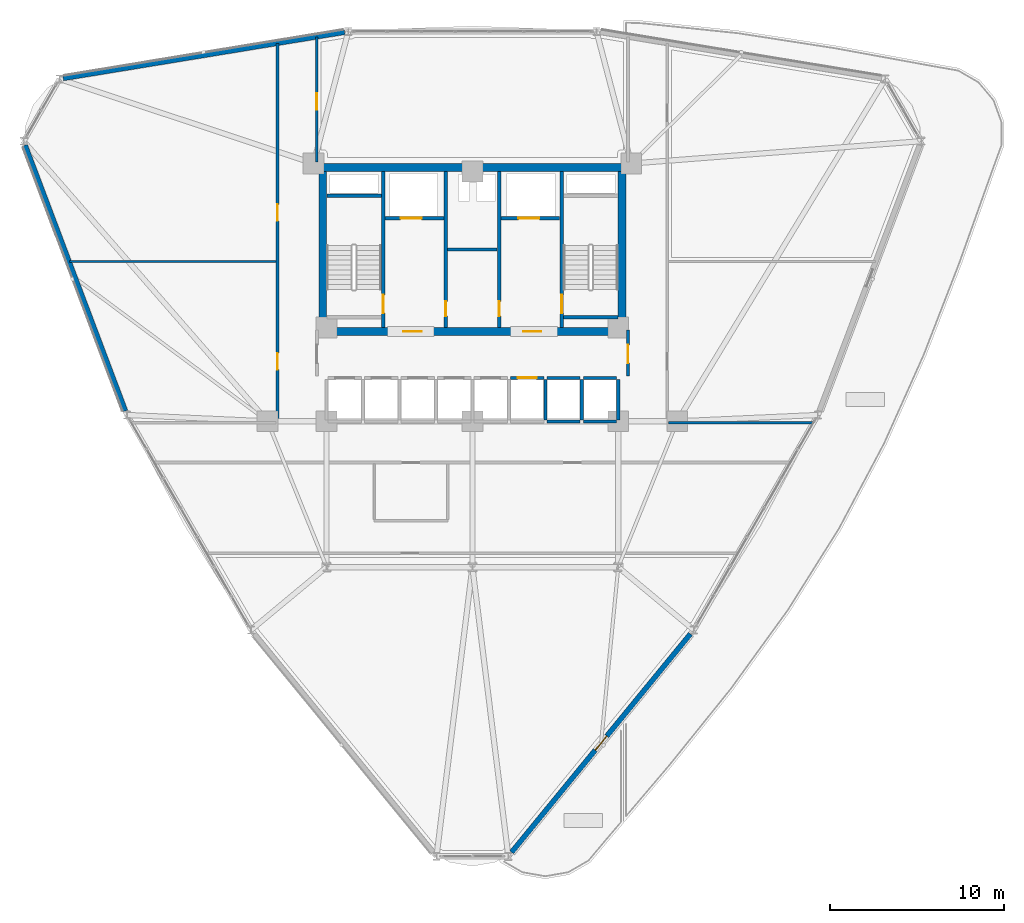
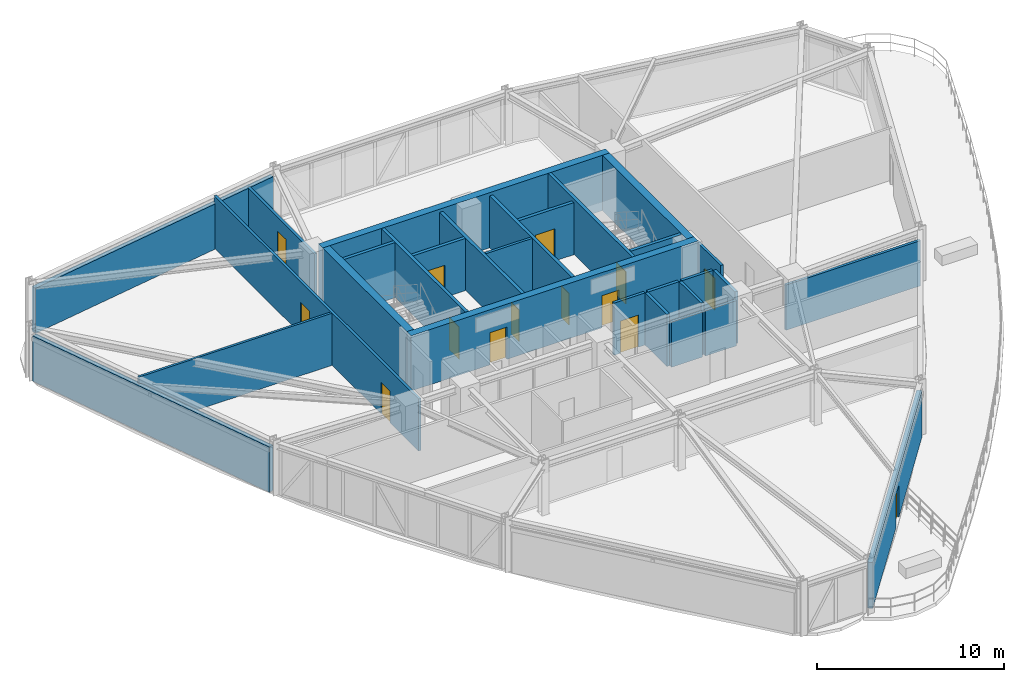
# One storey, part 18 of 23: 29 walls, 14 doors, 14 openings.
"""IFC4 building model written with IfcOpenShell, lengths in metres."""

from ifc_helpers import new_model, si_unit, derived_unit, direction, frame, frame_2d, origin, place, context, subcontext, project, spatial, rectangle, extrude, material, layer, layer_set, type_object, element, fill, save


model = new_model("IFC4")

# Units and contexts
model_context = context("Model", 3, precision=1e-05, world=origin(), true_north=direction((0.0, 1.0)))
body_context = subcontext(model_context, "Body", "Model", "MODEL_VIEW")
ifc_project = project(units=[si_unit("LENGTHUNIT", "METRE"), si_unit("AREAUNIT", "SQUARE_METRE"), si_unit("VOLUMEUNIT", "CUBIC_METRE"), si_unit("PLANEANGLEUNIT", "RADIAN"), si_unit("MASSUNIT", "GRAM", prefix="KILO"), derived_unit("THERMALTRANSMITTANCEUNIT", [(si_unit("POWERUNIT", "WATT"), 1), (si_unit("LENGTHUNIT", "METRE"), -2), (si_unit("THERMODYNAMICTEMPERATUREUNIT", "KELVIN"), -1)])], contexts=[model_context])

# Site, building, storey
site_placement = place(None, origin())
site = spatial("IfcSite", under=ifc_project, at=site_placement, CompositionType="ELEMENT")
building_placement = place(site_placement, origin())
building = spatial("IfcBuilding", under=site, at=building_placement, Name="Korsvarv Bourse and Concert Hall", CompositionType="ELEMENT")
storey_placement = place(building_placement, frame((0.0, 0.0, 99.0)))
storey = spatial("IfcBuildingStorey", under=building, at=storey_placement, Name="L24", CompositionType="ELEMENT", Elevation=99.0)

# Wall, opening, door
ifc_material_1 = material(Name="Concrete C50/60", Category="concrete")
ifc_layer_1 = layer(ifc_material_1, 0.3798828125)
ifc_layer_set_1 = layer_set([ifc_layer_1], Name="Concrete C50/60")
wall_type_1 = type_object("IfcWallType", Name="WL-CORE-380", PredefinedType="SHEAR", material=ifc_layer_set_1)
wall_1_placement = place(storey_placement, frame((30.860107421875, 37.81005859375, 0.0), z_axis=(0.0, 0.0, 1.0), x_axis=(0.0, 1.0, 0.0)))
wall_1 = element("IfcWall", 1, at=wall_1_placement, inside=storey, type_object=wall_type_1, Name="L24 stair shaft structural wall W-L24-ST1-E", PredefinedType="SHEAR", context=body_context, shape_type="SweptSolid", body=[
    extrude(rectangle(XDim=8.97998046875, YDim=0.199951171875, at=frame_2d((4.489990234375, 0.0))), origin(), (0.0, 0.0, 1.0), 3.60009765625),
])
opening_1_placement = place(wall_1_placement, frame((0.820068359375, 0.0, 0.0)))
opening_1 = element("IfcOpeningElement", 2, at=opening_1_placement, cuts=wall_1, Name="Opening D-01", PredefinedType="OPENING", context=body_context, shape_type="SweptSolid", body=[
    extrude(rectangle(XDim=1.050048828125, YDim=2.10009765625, at=frame_2d((0.52490234375, 1.050048828125))), frame((0.0, 0.10986328125, 0.0), z_axis=(0.0, -1.0, 0.0), x_axis=(1.0, 0.0, 0.0)), (0.0, 0.0, 1.0), 0.219970703125),
])
ifc_material_2 = material(Name="Steel S355 fire door", Category="steel")
door_type_1 = type_object("IfcDoorType", Name="DR-FD60", OperationType="NOTDEFINED", PredefinedType="DOOR", material=ifc_material_2)
door_1_placement = place(opening_1_placement, origin())
door_1 = element("IfcDoor", 3, at=door_1_placement, inside=storey, type_object=door_type_1, Name="L24 interior door DR-L24-ST1", OperationType="SINGLE_SWING_RIGHT", OverallHeight=2.10009765625, OverallWidth=1.050048828125, PredefinedType="DOOR", context=body_context, shape_type="SweptSolid", body=[
    extrude(rectangle(XDim=1.050048828125, YDim=2.10009765625, at=frame_2d((0.52490234375, 1.050048828125))), frame((0.0, 0.02490234375, 0.0), z_axis=(0.0, -1.0, 0.0), x_axis=(1.0, 0.0, 0.0)), (0.0, 0.0, 1.0), 0.050048828125),
])
fill(opening_1, door_1)

# Wall
wall_2_placement = place(storey_placement, frame((27.610107421875, 45.39990234375, 0.0), z_axis=(0.0, 0.0, 1.0), x_axis=(1.0, 0.0, 0.0)))
element("IfcWall", 4, at=wall_2_placement, inside=storey, type_object=wall_type_1, Name="L24 stair shaft structural wall W-L24-ST1-N", PredefinedType="SHEAR", context=body_context, shape_type="SweptSolid", body=[
    extrude(rectangle(XDim=3.139892578125, YDim=0.199951171875, at=frame_2d((1.56982421875, 0.0))), origin(), (0.0, 0.0, 1.0), 3.60009765625),
])

# Wall, opening, door
wall_3_placement = place(storey_placement, frame((41.139892578125, 37.81005859375, 0.0), z_axis=(0.0, 0.0, 1.0), x_axis=(0.0, 1.0, 0.0)))
wall_3 = element("IfcWall", 5, at=wall_3_placement, inside=storey, type_object=wall_type_1, Name="L24 stair shaft structural wall W-L24-ST2-W", PredefinedType="SHEAR", context=body_context, shape_type="SweptSolid", body=[
    extrude(rectangle(XDim=8.97998046875, YDim=0.199951171875, at=frame_2d((4.489990234375, 0.0))), origin(), (0.0, 0.0, 1.0), 3.60009765625),
])
opening_2_placement = place(wall_3_placement, frame((0.820068359375, 0.0, 0.0)))
opening_2 = element("IfcOpeningElement", 6, at=opening_2_placement, cuts=wall_3, Name="Opening D-01", PredefinedType="OPENING", context=body_context, shape_type="SweptSolid", body=[
    extrude(rectangle(XDim=1.050048828125, YDim=2.10009765625, at=frame_2d((0.52490234375, 1.050048828125))), frame((0.0, 0.10986328125, 0.0), z_axis=(0.0, -1.0, 0.0), x_axis=(1.0, 0.0, 0.0)), (0.0, 0.0, 1.0), 0.219970703125),
])
door_2_placement = place(opening_2_placement, frame((1.050048828125, 0.0, 0.0), z_axis=(0.0, 0.0, 1.0), x_axis=(-1.0, 0.0, 0.0)))
door_2 = element("IfcDoor", 7, at=door_2_placement, inside=storey, type_object=door_type_1, Name="L24 interior door DR-L24-ST2", OperationType="SINGLE_SWING_LEFT", OverallHeight=2.10009765625, OverallWidth=1.050048828125, PredefinedType="DOOR", context=body_context, shape_type="SweptSolid", body=[
    extrude(rectangle(XDim=1.050048828125, YDim=2.10009765625, at=frame_2d((0.52490234375, 1.050048828125))), frame((0.0, 0.02490234375, 0.0), z_axis=(0.0, -1.0, 0.0), x_axis=(1.0, 0.0, 0.0)), (0.0, 0.0, 1.0), 0.050048828125),
])
fill(opening_2, door_2)

# Walls
wall_4_placement = place(storey_placement, frame((41.25, 38.39990234375, 0.0), z_axis=(0.0, 0.0, 1.0), x_axis=(1.0, 0.0, 0.0)))
element("IfcWall", 8, at=wall_4_placement, inside=storey, type_object=wall_type_1, Name="L24 stair shaft structural wall W-L24-ST2-S", PredefinedType="SHEAR", context=body_context, shape_type="SweptSolid", body=[
    extrude(rectangle(XDim=3.139892578125, YDim=0.199951171875, at=frame_2d((1.56982421875, 0.0))), origin(), (0.0, 0.0, 1.0), 3.60009765625),
])
ifc_material_3 = material(Name="Concrete C55/67", Category="concrete")
ifc_layer_2 = layer(ifc_material_3, 0.449951171875)
ifc_layer_set_2 = layer_set([ifc_layer_2], Name="Concrete C55/67")
wall_type_2 = type_object("IfcWallType", Name="WL-CORE-450", PredefinedType="SHEAR", material=ifc_layer_set_2)
wall_5_placement = place(storey_placement, frame((27.14990234375, 47.02490234375, 0.0), z_axis=(0.0, 0.0, 1.0), x_axis=(1.0, 0.0, 0.0)))
element("IfcWall", 9, at=wall_5_placement, inside=storey, type_object=wall_type_2, Name="L24 North Core Shear Wall", PredefinedType="SHEAR", context=body_context, shape_type="SweptSolid", body=[
    extrude(rectangle(XDim=17.7001953125, YDim=0.449951171875, at=frame_2d((8.85009765625, 0.0))), origin(), (0.0, 0.0, 1.0), 3.60009765625),
])

# Wall, openings, doors
wall_6_placement = place(storey_placement, frame((27.14990234375, 37.574951171875, 0.0), z_axis=(0.0, 0.0, 1.0), x_axis=(1.0, 0.0, 0.0)))
wall_6 = element("IfcWall", 10, at=wall_6_placement, inside=storey, type_object=wall_type_2, Name="L24 South Core Shear Wall", PredefinedType="SHEAR", context=body_context, shape_type="SweptSolid", body=[
    extrude(rectangle(XDim=17.7001953125, YDim=0.449951171875, at=frame_2d((8.85009765625, 0.0))), origin(), (0.0, 0.0, 1.0), 3.60009765625),
])
opening_3_placement = place(wall_6_placement, frame((4.875, 0.0, 0.0)))
opening_3 = element("IfcOpeningElement", 11, at=opening_3_placement, cuts=wall_6, Name="Opening D-01", PredefinedType="OPENING", context=body_context, shape_type="SweptSolid", body=[
    extrude(rectangle(XDim=1.050048828125, YDim=2.10009765625, at=frame_2d((0.52490234375, 1.050048828125))), frame((0.0, 0.23486328125, 0.0), z_axis=(0.0, -1.0, 0.0), x_axis=(1.0, 0.0, 0.0)), (0.0, 0.0, 1.0), 0.469970703125),
])
opening_4_placement = place(wall_6_placement, frame((11.77490234375, 0.0, 0.0)))
opening_4 = element("IfcOpeningElement", 12, at=opening_4_placement, cuts=wall_6, Name="Opening D-01", PredefinedType="OPENING", context=body_context, shape_type="SweptSolid", body=[
    extrude(rectangle(XDim=1.050048828125, YDim=2.10009765625, at=frame_2d((0.52490234375, 1.050048828125))), frame((0.0, 0.23486328125, 0.0), z_axis=(0.0, -1.0, 0.0), x_axis=(1.0, 0.0, 0.0)), (0.0, 0.0, 1.0), 0.469970703125),
])
door_3_placement = place(opening_3_placement, frame((1.050048828125, 0.0, 0.0), z_axis=(0.0, 0.0, 1.0), x_axis=(-1.0, 0.0, 0.0)))
door_3 = element("IfcDoor", 13, at=door_3_placement, inside=storey, type_object=door_type_1, Name="L24 firefighting lobby fire door DR-L24-FFLW", OperationType="SINGLE_SWING_RIGHT", OverallHeight=2.10009765625, OverallWidth=1.050048828125, PredefinedType="DOOR", context=body_context, shape_type="SweptSolid", body=[
    extrude(rectangle(XDim=1.050048828125, YDim=2.10009765625, at=frame_2d((0.52490234375, 1.050048828125))), frame((0.0, 0.02490234375, 0.0), z_axis=(0.0, -1.0, 0.0), x_axis=(1.0, 0.0, 0.0)), (0.0, 0.0, 1.0), 0.050048828125),
])
fill(opening_3, door_3)
door_4_placement = place(opening_4_placement, frame((1.050048828125, 0.0, 0.0), z_axis=(0.0, 0.0, 1.0), x_axis=(-1.0, 0.0, 0.0)))
door_4 = element("IfcDoor", 14, at=door_4_placement, inside=storey, type_object=door_type_1, Name="L24 firefighting lobby fire door DR-L24-FFLE", OperationType="SINGLE_SWING_LEFT", OverallHeight=2.10009765625, OverallWidth=1.050048828125, PredefinedType="DOOR", context=body_context, shape_type="SweptSolid", body=[
    extrude(rectangle(XDim=1.050048828125, YDim=2.10009765625, at=frame_2d((0.52490234375, 1.050048828125))), frame((0.0, 0.02490234375, 0.0), z_axis=(0.0, -1.0, 0.0), x_axis=(1.0, 0.0, 0.0)), (0.0, 0.0, 1.0), 0.050048828125),
])
fill(opening_4, door_4)

# Walls
for number, where, z_axis, x_axis, name in (
    (15, (27.375, 37.800048828125, 0.0), (0.0, 0.0, 1.0), (0.0, 1.0, 0.0), "L24 West Core Shear Wall"),
    (16, (44.625, 37.800048828125, 0.0), (0.0, 0.0, 1.0), (0.0, 1.0, 0.0), "L24 East Core Shear Wall"),
):
    element("IfcWall", number, at=place(storey_placement, frame(where, z_axis=z_axis, x_axis=x_axis)), inside=storey, type_object=wall_type_2, Name=name, PredefinedType="SHEAR", context=body_context, shape_type="SweptSolid", body=[
        extrude(rectangle(XDim=9.0, YDim=0.449951171875, at=frame_2d((4.5, 0.0))), origin(), (0.0, 0.0, 1.0), 3.60009765625),
    ])

# Wall, opening, door
ifc_material_4 = material(Name="Precast concrete C45/55 with terracotta rainscreen", Category="concrete")
ifc_layer_3 = layer(ifc_material_4, 0.300048828125)
ifc_layer_set_3 = layer_set([ifc_layer_3], Name="Precast concrete C45/55 with terracotta rainscreen")
wall_type_3 = type_object("IfcWallType", Name="WL-EXT-TC1", PredefinedType="SOLIDWALL", material=ifc_layer_set_3)
wall_7_placement = place(storey_placement, frame((38.2587890625, 7.576416015625, 0.0), z_axis=(0.0, 0.0, 1.0), x_axis=(0.633768446385, 0.773522822137, 0.0)))
wall_7 = element("IfcWall", 17, at=wall_7_placement, inside=storey, type_object=wall_type_3, Name="L24 terracotta exterior wall EW-L24-B10", PredefinedType="SOLIDWALL", context=body_context, shape_type="SweptSolid", body=[
    extrude(rectangle(XDim=16.255126953125, YDim=0.300048828125, at=frame_2d((8.12744140625, 0.0))), origin(), (0.0, 0.0, 1.0), 3.0),
])
opening_5_placement = place(wall_7_placement, frame((7.6025390625, 0.0, 0.0)))
opening_5 = element("IfcOpeningElement", 18, at=opening_5_placement, cuts=wall_7, Name="Opening ED-02", PredefinedType="OPENING", context=body_context, shape_type="SweptSolid", body=[
    extrude(rectangle(XDim=1.050048828125, YDim=2.10009765625, at=frame_2d((0.52490234375, 1.050048828125))), frame((0.0, 0.16015625, 0.0), z_axis=(0.0, -1.0, 0.0), x_axis=(1.0, 0.0, 0.0)), (0.0, 0.0, 1.0), 0.320068359375),
])
ifc_material_5 = material(Name="Thermally broken anodised aluminium and laminated safety glass", Category="aluminium")
door_type_2 = type_object("IfcDoorType", Name="DR-EXT-TERR", OperationType="NOTDEFINED", PredefinedType="DOOR", material=ifc_material_5)
door_5_placement = place(opening_5_placement, frame((1.050048828125, 0.0, 0.0), z_axis=(0.0, 0.0, 1.0), x_axis=(-1.0, 0.0, 0.0)))
door_5 = element("IfcDoor", 19, at=door_5_placement, inside=storey, type_object=door_type_2, Name="L24 Sky Garden Terrace Access Door", OperationType="SINGLE_SWING_RIGHT", OverallHeight=2.10009765625, OverallWidth=1.050048828125, PredefinedType="DOOR", context=body_context, shape_type="SweptSolid", body=[
    extrude(rectangle(XDim=1.050048828125, YDim=2.10009765625, at=frame_2d((0.52490234375, 1.050048828125))), frame((0.0, 0.02490234375, 0.0), z_axis=(0.0, -1.0, 0.0), x_axis=(1.0, 0.0, 0.0)), (0.0, 0.0, 1.0), 0.050048828125),
])
fill(opening_5, door_5)

# Walls
ifc_material_6 = material(Name="Precast concrete C45/55 with fluted terracotta pier", Category="concrete")
ifc_layer_4 = layer(ifc_material_6, 0.280029296875)
ifc_layer_set_4 = layer_set([ifc_layer_4], Name="Precast concrete C45/55 with fluted terracotta pier")
wall_type_4 = type_object("IfcWallType", Name="WL-EXT-TC2", PredefinedType="SOLIDWALL", material=ifc_layer_set_4)
wall_8_placement = place(storey_placement, frame((28.63671875, 54.81640625, 0.0), z_axis=(0.0, 0.0, 1.0), x_axis=(-0.986776921995, -0.162084256539, 0.0)))
element("IfcWall", 20, at=wall_8_placement, inside=storey, type_object=wall_type_4, Name="L24 terracotta exterior wall EW-L24-B04", PredefinedType="SOLIDWALL", context=body_context, shape_type="SweptSolid", body=[
    extrude(rectangle(XDim=16.422607421875, YDim=0.280029296875, at=frame_2d((8.21142578125, 0.0))), origin(), (0.0, 0.0, 1.0), 2.949951171875),
])
wall_9_placement = place(storey_placement, frame((10.236572265625, 48.30419921875, 0.0), z_axis=(0.0, 0.0, 1.0), x_axis=(0.353021512356, -0.935615204993, 0.0)))
element("IfcWall", 21, at=wall_9_placement, inside=storey, type_object=wall_type_4, Name="L24 terracotta exterior wall EW-L24-B06", PredefinedType="SOLIDWALL", context=body_context, shape_type="SweptSolid", body=[
    extrude(rectangle(XDim=16.359130859375, YDim=0.280029296875, at=frame_2d((8.1796875, 0.0))), origin(), (0.0, 0.0, 1.0), 2.949951171875),
])

# Wall, opening, door
ifc_material_7 = material(Name="Reinforced concrete blockwork C35/45 fire wall", Category="concrete")
ifc_layer_5 = layer(ifc_material_7, 0.199951171875)
ifc_layer_set_5 = layer_set([ifc_layer_5], Name="Reinforced concrete blockwork C35/45 fire wall")
wall_type_5 = type_object("IfcWallType", Name="WL-INT-EI120", PredefinedType="PARTITIONING", material=ifc_layer_set_5)
wall_10_placement = place(storey_placement, frame((30.969970703125, 44.10009765625, 0.0), z_axis=(0.0, 0.0, 1.0), x_axis=(1.0, 0.0, 0.0)))
wall_10 = element("IfcWall", 22, at=wall_10_placement, inside=storey, type_object=wall_type_5, Name="L24 interior partition wall W-L24-FF1-S", PredefinedType="PARTITIONING", context=body_context, shape_type="SweptSolid", body=[
    extrude(rectangle(XDim=3.380126953125, YDim=0.199951171875, at=frame_2d((1.68994140625, 0.0))), origin(), (0.0, 0.0, 1.0), 3.39990234375),
])
opening_6_placement = place(wall_10_placement, frame((0.89990234375, 0.0, 0.0)))
opening_6 = element("IfcOpeningElement", 23, at=opening_6_placement, cuts=wall_10, Name="Opening LD-1", PredefinedType="OPENING", context=body_context, shape_type="SweptSolid", body=[
    extrude(rectangle(XDim=1.199951171875, YDim=2.10009765625, at=frame_2d((0.60009765625, 1.050048828125))), frame((0.0, 0.10986328125, 0.0), z_axis=(0.0, -1.0, 0.0), x_axis=(1.0, 0.0, 0.0)), (0.0, 0.0, 1.0), 0.219970703125),
])
ifc_material_8 = material(Name="Stainless Steel S355 firefighting lift landing door", Category="steel")
door_type_3 = type_object("IfcDoorType", Name="DR-LIFT-FF", OperationType="DOUBLE_DOOR_SLIDING", PredefinedType="DOOR", material=ifc_material_8)
door_6_placement = place(opening_6_placement, origin())
door_6 = element("IfcDoor", 24, at=door_6_placement, inside=storey, type_object=door_type_3, Name="L24 lift sliding landing door LD-L24-FF1", OperationType="DOUBLE_DOOR_SLIDING", OverallHeight=2.10009765625, OverallWidth=1.199951171875, PredefinedType="DOOR", context=body_context, shape_type="SweptSolid", body=[
    extrude(rectangle(XDim=1.199951171875, YDim=2.10009765625, at=frame_2d((0.60009765625, 1.050048828125))), frame((0.0, 0.02490234375, 0.0), z_axis=(0.0, -1.0, 0.0), x_axis=(1.0, 0.0, 0.0)), (0.0, 0.0, 1.0), 0.050048828125),
])
fill(opening_6, door_6)

wall_11_placement = place(storey_placement, frame((37.64990234375, 44.10009765625, 0.0), z_axis=(0.0, 0.0, 1.0), x_axis=(1.0, 0.0, 0.0)))
wall_11 = element("IfcWall", 25, at=wall_11_placement, inside=storey, type_object=wall_type_5, Name="L24 interior partition wall W-L24-FF2-S", PredefinedType="PARTITIONING", context=body_context, shape_type="SweptSolid", body=[
    extrude(rectangle(XDim=3.380126953125, YDim=0.199951171875, at=frame_2d((1.68994140625, 0.0))), origin(), (0.0, 0.0, 1.0), 3.39990234375),
])
opening_7_placement = place(wall_11_placement, frame((1.0, 0.0, 0.0)))
opening_7 = element("IfcOpeningElement", 26, at=opening_7_placement, cuts=wall_11, Name="Opening LD-1", PredefinedType="OPENING", context=body_context, shape_type="SweptSolid", body=[
    extrude(rectangle(XDim=1.199951171875, YDim=2.10009765625, at=frame_2d((0.60009765625, 1.050048828125))), frame((0.0, 0.10986328125, 0.0), z_axis=(0.0, -1.0, 0.0), x_axis=(1.0, 0.0, 0.0)), (0.0, 0.0, 1.0), 0.219970703125),
])
door_7_placement = place(opening_7_placement, origin())
door_7 = element("IfcDoor", 27, at=door_7_placement, inside=storey, type_object=door_type_3, Name="L24 lift sliding landing door LD-L24-FF2", OperationType="DOUBLE_DOOR_SLIDING", OverallHeight=2.10009765625, OverallWidth=1.199951171875, PredefinedType="DOOR", context=body_context, shape_type="SweptSolid", body=[
    extrude(rectangle(XDim=1.199951171875, YDim=2.10009765625, at=frame_2d((0.60009765625, 1.050048828125))), frame((0.0, 0.02490234375, 0.0), z_axis=(0.0, -1.0, 0.0), x_axis=(1.0, 0.0, 0.0)), (0.0, 0.0, 1.0), 0.050048828125),
])
fill(opening_7, door_7)

wall_12_placement = place(storey_placement, frame((34.4599609375, 37.81005859375, 0.0), z_axis=(0.0, 0.0, 1.0), x_axis=(0.0, 1.0, 0.0)))
wall_12 = element("IfcWall", 28, at=wall_12_placement, inside=storey, type_object=wall_type_5, Name="L24 interior partition wall W-L24-CSB-W", PredefinedType="PARTITIONING", context=body_context, shape_type="SweptSolid", body=[
    extrude(rectangle(XDim=8.97998046875, YDim=0.199951171875, at=frame_2d((4.489990234375, 0.0))), origin(), (0.0, 0.0, 1.0), 3.39990234375),
])
opening_8_placement = place(wall_12_placement, frame((0.64990234375, 0.0, 0.0)))
opening_8 = element("IfcOpeningElement", 29, at=opening_8_placement, cuts=wall_12, Name="Opening D-05", PredefinedType="OPENING", context=body_context, shape_type="SweptSolid", body=[
    extrude(rectangle(XDim=0.85009765625, YDim=2.050048828125, at=frame_2d((0.425048828125, 1.02490234375))), frame((0.0, 0.10986328125, 0.0), z_axis=(0.0, -1.0, 0.0), x_axis=(1.0, 0.0, 0.0)), (0.0, 0.0, 1.0), 0.219970703125),
])
door_type_4 = type_object("IfcDoorType", Name="DR-FD60-850X2050", OperationType="NOTDEFINED", PredefinedType="DOOR", material=ifc_material_2)
door_8_placement = place(opening_8_placement, frame((0.85009765625, 0.0, 0.0), z_axis=(0.0, 0.0, 1.0), x_axis=(-1.0, 0.0, 0.0)))
door_8 = element("IfcDoor", 30, at=door_8_placement, inside=storey, type_object=door_type_4, Name="L24 interior door DR-L24-CSB1", OperationType="SINGLE_SWING_RIGHT", OverallHeight=2.050048828125, OverallWidth=0.85009765625, PredefinedType="DOOR", context=body_context, shape_type="SweptSolid", body=[
    extrude(rectangle(XDim=0.85009765625, YDim=2.050048828125, at=frame_2d((0.425048828125, 1.02490234375))), frame((0.0, 0.02490234375, 0.0), z_axis=(0.0, -1.0, 0.0), x_axis=(1.0, 0.0, 0.0)), (0.0, 0.0, 1.0), 0.050048828125),
])
fill(opening_8, door_8)

wall_13_placement = place(storey_placement, frame((37.5400390625, 37.81005859375, 0.0), z_axis=(0.0, 0.0, 1.0), x_axis=(0.0, 1.0, 0.0)))
wall_13 = element("IfcWall", 31, at=wall_13_placement, inside=storey, type_object=wall_type_5, Name="L24 interior partition wall W-L24-CSB-E", PredefinedType="PARTITIONING", context=body_context, shape_type="SweptSolid", body=[
    extrude(rectangle(XDim=8.97998046875, YDim=0.199951171875, at=frame_2d((4.489990234375, 0.0))), origin(), (0.0, 0.0, 1.0), 3.39990234375),
])
opening_9_placement = place(wall_13_placement, frame((0.64990234375, 0.0, 0.0)))
opening_9 = element("IfcOpeningElement", 32, at=opening_9_placement, cuts=wall_13, Name="Opening D-05", PredefinedType="OPENING", context=body_context, shape_type="SweptSolid", body=[
    extrude(rectangle(XDim=0.85009765625, YDim=2.050048828125, at=frame_2d((0.425048828125, 1.02490234375))), frame((0.0, 0.10986328125, 0.0), z_axis=(0.0, -1.0, 0.0), x_axis=(1.0, 0.0, 0.0)), (0.0, 0.0, 1.0), 0.219970703125),
])
door_9_placement = place(opening_9_placement, origin())
door_9 = element("IfcDoor", 33, at=door_9_placement, inside=storey, type_object=door_type_4, Name="L24 interior door DR-L24-CSB2", OperationType="SINGLE_SWING_LEFT", OverallHeight=2.050048828125, OverallWidth=0.85009765625, PredefinedType="DOOR", context=body_context, shape_type="SweptSolid", body=[
    extrude(rectangle(XDim=0.85009765625, YDim=2.050048828125, at=frame_2d((0.425048828125, 1.02490234375))), frame((0.0, 0.02490234375, 0.0), z_axis=(0.0, -1.0, 0.0), x_axis=(1.0, 0.0, 0.0)), (0.0, 0.0, 1.0), 0.050048828125),
])
fill(opening_9, door_9)

# Wall
ifc_material_9 = material(Name="Double-stud fire-rated acoustic partition", Category="gypsum")
ifc_layer_6 = layer(ifc_material_9, 0.159912109375)
ifc_layer_set_6 = layer_set([ifc_layer_6], Name="Double-stud fire-rated acoustic partition")
wall_type_6 = type_object("IfcWallType", Name="WL-INT-EI60", PredefinedType="PARTITIONING", material=ifc_layer_set_6)
wall_14_placement = place(storey_placement, frame((34.570068359375, 42.300048828125, 0.0), z_axis=(0.0, 0.0, 1.0), x_axis=(1.0, 0.0, 0.0)))
element("IfcWall", 34, at=wall_14_placement, inside=storey, type_object=wall_type_6, Name="L24 interior partition wall W-L24-K1", PredefinedType="PARTITIONING", context=body_context, shape_type="SweptSolid", body=[
    extrude(rectangle(XDim=2.85986328125, YDim=0.159912109375, at=frame_2d((1.429931640625, 0.0))), origin(), (0.0, 0.0, 1.0), 3.39990234375),
])

# Wall, opening, door
wall_15_placement = place(storey_placement, frame((44.9599609375, 35.0, 0.0), z_axis=(0.0, 0.0, 1.0), x_axis=(0.0, 1.0, 0.0)))
wall_15 = element("IfcWall", 35, at=wall_15_placement, inside=storey, type_object=wall_type_6, Name="L24 interior partition wall W-L24-LOB-E", PredefinedType="PARTITIONING", context=body_context, shape_type="SweptSolid", body=[
    extrude(rectangle(XDim=2.64990234375, YDim=0.159912109375, at=frame_2d((1.324951171875, 0.0))), origin(), (0.0, 0.0, 1.0), 3.39990234375),
])
opening_10_placement = place(wall_15_placement, frame((0.75, 0.0, 0.0)))
opening_10 = element("IfcOpeningElement", 36, at=opening_10_placement, cuts=wall_15, Name="Opening D-01", PredefinedType="OPENING", context=body_context, shape_type="SweptSolid", body=[
    extrude(rectangle(XDim=1.050048828125, YDim=2.10009765625, at=frame_2d((0.52490234375, 1.050048828125))), frame((0.0, 0.08984375, 0.0), z_axis=(0.0, -1.0, 0.0), x_axis=(1.0, 0.0, 0.0)), (0.0, 0.0, 1.0), 0.179931640625),
])
door_10_placement = place(opening_10_placement, origin())
door_10 = element("IfcDoor", 37, at=door_10_placement, inside=storey, type_object=door_type_1, Name="L24 interior door DR-L24-LOBE", OperationType="SINGLE_SWING_LEFT", OverallHeight=2.10009765625, OverallWidth=1.050048828125, PredefinedType="DOOR", context=body_context, shape_type="SweptSolid", body=[
    extrude(rectangle(XDim=1.050048828125, YDim=2.10009765625, at=frame_2d((0.52490234375, 1.050048828125))), frame((0.0, 0.02490234375, 0.0), z_axis=(0.0, -1.0, 0.0), x_axis=(1.0, 0.0, 0.0)), (0.0, 0.0, 1.0), 0.050048828125),
])
fill(opening_10, door_10)

# Wall, openings, doors
wall_16_placement = place(storey_placement, frame((24.77490234375, 32.31005859375, 0.0), z_axis=(0.0, 0.0, 1.0), x_axis=(0.0, 1.0, 0.0)))
wall_16 = element("IfcWall", 38, at=wall_16_placement, inside=storey, type_object=wall_type_6, Name="L24 interior partition wall W-L24-TCOR-03", PredefinedType="PARTITIONING", context=body_context, shape_type="SweptSolid", body=[
    extrude(rectangle(XDim=21.85205078125, YDim=0.159912109375, at=frame_2d((10.926025390625, 0.0))), origin(), (0.0, 0.0, 1.0), 3.39990234375),
])
opening_11_placement = place(wall_16_placement, frame((3.064208984375, 0.0, 0.0)))
opening_11 = element("IfcOpeningElement", 39, at=opening_11_placement, cuts=wall_16, Name="Opening D-02", PredefinedType="OPENING", context=body_context, shape_type="SweptSolid", body=[
    extrude(rectangle(XDim=0.949951171875, YDim=2.050048828125, at=frame_2d((0.47509765625, 1.02490234375))), frame((0.0, 0.08984375, 0.0), z_axis=(0.0, -1.0, 0.0), x_axis=(1.0, 0.0, 0.0)), (0.0, 0.0, 1.0), 0.179931640625),
])
opening_12_placement = place(wall_16_placement, frame((11.631103515625, 0.0, 0.0)))
opening_12 = element("IfcOpeningElement", 40, at=opening_12_placement, cuts=wall_16, Name="Opening D-02", PredefinedType="OPENING", context=body_context, shape_type="SweptSolid", body=[
    extrude(rectangle(XDim=0.949951171875, YDim=2.050048828125, at=frame_2d((0.47509765625, 1.02490234375))), frame((0.0, 0.08984375, 0.0), z_axis=(0.0, -1.0, 0.0), x_axis=(1.0, 0.0, 0.0)), (0.0, 0.0, 1.0), 0.179931640625),
])
ifc_material_10 = material(Name="Timber and steel acoustic fire door", Category="wood")
door_type_5 = type_object("IfcDoorType", Name="DR-FD30", OperationType="NOTDEFINED", PredefinedType="DOOR", material=ifc_material_10)
door_11_placement = place(opening_11_placement, origin())
door_11 = element("IfcDoor", 41, at=door_11_placement, inside=storey, type_object=door_type_5, Name="L24 interior door DR-L24-TCOR-SL36", OperationType="SINGLE_SWING_RIGHT", OverallHeight=2.050048828125, OverallWidth=0.949951171875, PredefinedType="DOOR", context=body_context, shape_type="SweptSolid", body=[
    extrude(rectangle(XDim=0.949951171875, YDim=2.050048828125, at=frame_2d((0.47509765625, 1.02490234375))), frame((0.0, 0.02490234375, 0.0), z_axis=(0.0, -1.0, 0.0), x_axis=(1.0, 0.0, 0.0)), (0.0, 0.0, 1.0), 0.050048828125),
])
fill(opening_11, door_11)
door_12_placement = place(opening_12_placement, origin())
door_12 = element("IfcDoor", 42, at=door_12_placement, inside=storey, type_object=door_type_5, Name="L24 interior door DR-L24-TCOR-SL47", OperationType="SINGLE_SWING_LEFT", OverallHeight=2.050048828125, OverallWidth=0.949951171875, PredefinedType="DOOR", context=body_context, shape_type="SweptSolid", body=[
    extrude(rectangle(XDim=0.949951171875, YDim=2.050048828125, at=frame_2d((0.47509765625, 1.02490234375))), frame((0.0, 0.02490234375, 0.0), z_axis=(0.0, -1.0, 0.0), x_axis=(1.0, 0.0, 0.0)), (0.0, 0.0, 1.0), 0.050048828125),
])
fill(opening_12, door_12)

# Wall
wall_17_placement = place(storey_placement, frame((47.306884765625, 32.31494140625, 0.0), z_axis=(0.0, 0.0, 1.0), x_axis=(1.0, 0.0, 0.0)))
element("IfcWall", 43, at=wall_17_placement, inside=storey, type_object=wall_type_6, Name="L24 interior partition wall W-L24-TCOR-05", PredefinedType="PARTITIONING", context=body_context, shape_type="SweptSolid", body=[
    extrude(rectangle(XDim=8.3134765625, YDim=0.159912109375, at=frame_2d((4.15673828125, 0.0))), origin(), (0.0, 0.0, 1.0), 2.949951171875),
])

# Wall, opening, door
wall_18_placement = place(storey_placement, frame((27.034912109375, 47.340087890625, 0.0), z_axis=(0.0, 0.0, 1.0), x_axis=(0.0, 1.0, 0.0)))
wall_18 = element("IfcWall", 44, at=wall_18_placement, inside=storey, type_object=wall_type_6, Name="L24 interior partition wall W-L24-TCOR-06", PredefinedType="PARTITIONING", context=body_context, shape_type="SweptSolid", body=[
    extrude(rectangle(XDim=7.193115234375, YDim=0.159912109375, at=frame_2d((3.5966796875, 0.0))), origin(), (0.0, 0.0, 1.0), 2.949951171875),
])
opening_13_placement = place(wall_18_placement, frame((3.017822265625, 0.0, 0.0)))
opening_13 = element("IfcOpeningElement", 45, at=opening_13_placement, cuts=wall_18, Name="Opening D-02", PredefinedType="OPENING", context=body_context, shape_type="SweptSolid", body=[
    extrude(rectangle(XDim=0.949951171875, YDim=2.050048828125, at=frame_2d((0.47509765625, 1.02490234375))), frame((0.0, 0.08984375, 0.0), z_axis=(0.0, -1.0, 0.0), x_axis=(1.0, 0.0, 0.0)), (0.0, 0.0, 1.0), 0.179931640625),
])
door_13_placement = place(opening_13_placement, origin())
door_13 = element("IfcDoor", 46, at=door_13_placement, inside=storey, type_object=door_type_5, Name="L24 interior door DR-L24-TCOR-RM55", OperationType="SINGLE_SWING_RIGHT", OverallHeight=2.050048828125, OverallWidth=0.949951171875, PredefinedType="DOOR", context=body_context, shape_type="SweptSolid", body=[
    extrude(rectangle(XDim=0.949951171875, YDim=2.050048828125, at=frame_2d((0.47509765625, 1.02490234375))), frame((0.0, 0.02490234375, 0.0), z_axis=(0.0, -1.0, 0.0), x_axis=(1.0, 0.0, 0.0)), (0.0, 0.0, 1.0), 0.050048828125),
])
fill(opening_13, door_13)

ifc_material_11 = material(Name="Gypsum-clad autoclaved concrete shaft wall C30/37", Category="concrete")
ifc_layer_7 = layer(ifc_material_11, 0.179931640625)
ifc_layer_set_7 = layer_set([ifc_layer_7], Name="Gypsum-clad autoclaved concrete shaft wall C30/37")
wall_type_7 = type_object("IfcWallType", Name="WL-INT-EI90", PredefinedType="PARTITIONING", material=ifc_layer_set_7)
wall_19_placement = place(storey_placement, frame((38.18994140625, 34.89990234375, 0.0), z_axis=(0.0, 0.0, 1.0), x_axis=(1.0, 0.0, 0.0)))
wall_19 = element("IfcWall", 47, at=wall_19_placement, inside=storey, type_object=wall_type_7, Name="L24 interior partition wall W-L24-SHFN-PH2", PredefinedType="PARTITIONING", context=body_context, shape_type="SweptSolid", body=[
    extrude(rectangle(XDim=1.920166015625, YDim=0.179931640625, at=frame_2d((0.9599609375, 0.0))), origin(), (0.0, 0.0, 1.0), 3.39990234375),
])
opening_14_placement = place(wall_19_placement, frame((0.409912109375, 0.0, 0.0)))
opening_14 = element("IfcOpeningElement", 48, at=opening_14_placement, cuts=wall_19, Name="Opening LD-2", PredefinedType="OPENING", context=body_context, shape_type="SweptSolid", body=[
    extrude(rectangle(XDim=1.10009765625, YDim=2.10009765625, at=frame_2d((0.550048828125, 1.050048828125))), frame((0.0, 0.10009765625, 0.0), z_axis=(0.0, -1.0, 0.0), x_axis=(1.0, 0.0, 0.0)), (0.0, 0.0, 1.0), 0.199951171875),
])
ifc_material_12 = material(Name="Brushed stainless Steel S355 lift landing door", Category="steel")
door_type_6 = type_object("IfcDoorType", Name="DR-LIFT-P", OperationType="DOUBLE_DOOR_SLIDING", PredefinedType="DOOR", material=ifc_material_12)
door_14_placement = place(opening_14_placement, origin())
door_14 = element("IfcDoor", 49, at=door_14_placement, inside=storey, type_object=door_type_6, Name="L24 lift sliding landing door LD-L24-PH2", OperationType="DOUBLE_DOOR_SLIDING", OverallHeight=2.10009765625, OverallWidth=1.10009765625, PredefinedType="DOOR", context=body_context, shape_type="SweptSolid", body=[
    extrude(rectangle(XDim=1.10009765625, YDim=2.10009765625, at=frame_2d((0.550048828125, 1.050048828125))), frame((0.0, 0.02490234375, 0.0), z_axis=(0.0, -1.0, 0.0), x_axis=(1.0, 0.0, 0.0)), (0.0, 0.0, 1.0), 0.050048828125),
])
fill(opening_14, door_14)

# Walls
wall_20_placement = place(storey_placement, frame((40.2900390625, 34.89990234375, 0.0), z_axis=(0.0, 0.0, 1.0), x_axis=(1.0, 0.0, 0.0)))
element("IfcWall", 50, at=wall_20_placement, inside=storey, type_object=wall_type_7, Name="L24 interior partition wall W-L24-SHFN-PO1", PredefinedType="PARTITIONING", context=body_context, shape_type="SweptSolid", body=[
    extrude(rectangle(XDim=1.919921875, YDim=0.179931640625, at=frame_2d((0.9599609375, 0.0))), origin(), (0.0, 0.0, 1.0), 3.39990234375),
])
wall_21_placement = place(storey_placement, frame((40.2900390625, 32.39990234375, 0.0), z_axis=(0.0, 0.0, 1.0), x_axis=(1.0, 0.0, 0.0)))
element("IfcWall", 51, at=wall_21_placement, inside=storey, type_object=wall_type_7, Name="L24 interior partition wall W-L24-SHFS-PO1", PredefinedType="PARTITIONING", context=body_context, shape_type="SweptSolid", body=[
    extrude(rectangle(XDim=1.919921875, YDim=0.179931640625, at=frame_2d((0.9599609375, 0.0))), origin(), (0.0, 0.0, 1.0), 2.949951171875),
])
wall_22_placement = place(storey_placement, frame((40.199951171875, 32.489990234375, 0.0), z_axis=(0.0, 0.0, 1.0), x_axis=(0.0, 1.0, 0.0)))
element("IfcWall", 52, at=wall_22_placement, inside=storey, type_object=wall_type_7, Name="L24 interior partition wall W-L24-SHFW-PO1", PredefinedType="PARTITIONING", context=body_context, shape_type="SweptSolid", body=[
    extrude(rectangle(XDim=2.320068359375, YDim=0.179931640625, at=frame_2d((1.16015625, 0.0))), origin(), (0.0, 0.0, 1.0), 3.39990234375),
])
wall_23_placement = place(storey_placement, frame((42.389892578125, 34.89990234375, 0.0), z_axis=(0.0, 0.0, 1.0), x_axis=(1.0, 0.0, 0.0)))
element("IfcWall", 53, at=wall_23_placement, inside=storey, type_object=wall_type_7, Name="L24 interior partition wall W-L24-SHFN-PO2", PredefinedType="PARTITIONING", context=body_context, shape_type="SweptSolid", body=[
    extrude(rectangle(XDim=1.920166015625, YDim=0.179931640625, at=frame_2d((0.9599609375, 0.0))), origin(), (0.0, 0.0, 1.0), 3.39990234375),
])
wall_24_placement = place(storey_placement, frame((42.389892578125, 32.39990234375, 0.0), z_axis=(0.0, 0.0, 1.0), x_axis=(1.0, 0.0, 0.0)))
element("IfcWall", 54, at=wall_24_placement, inside=storey, type_object=wall_type_7, Name="L24 interior partition wall W-L24-SHFS-PO2", PredefinedType="PARTITIONING", context=body_context, shape_type="SweptSolid", body=[
    extrude(rectangle(XDim=1.920166015625, YDim=0.179931640625, at=frame_2d((0.9599609375, 0.0))), origin(), (0.0, 0.0, 1.0), 2.949951171875),
])
for number, where, z_axis, x_axis, name in (
    (55, (42.300048828125, 32.489990234375, 0.0), (0.0, 0.0, 1.0), (0.0, 1.0, 0.0), "L24 interior partition wall W-L24-SHFW-PO2"),
    (56, (44.39990234375, 32.489990234375, 0.0), (0.0, 0.0, 1.0), (0.0, 1.0, 0.0), "L24 interior partition wall W-L24-SHFE-END"),
):
    element("IfcWall", number, at=place(storey_placement, frame(where, z_axis=z_axis, x_axis=x_axis)), inside=storey, type_object=wall_type_7, Name=name, PredefinedType="PARTITIONING", context=body_context, shape_type="SweptSolid", body=[
        extrude(rectangle(XDim=2.320068359375, YDim=0.179931640625, at=frame_2d((1.16015625, 0.0))), origin(), (0.0, 0.0, 1.0), 3.39990234375),
    ])
ifc_material_13 = material(Name="Insulated steel-stud office acoustic partition", Category="gypsum")
ifc_layer_8 = layer(ifc_material_13, 0.139892578125)
ifc_layer_set_8 = layer_set([ifc_layer_8], Name="Insulated steel-stud office acoustic partition")
wall_type_8 = type_object("IfcWallType", Name="WL-INT-P1", PredefinedType="PARTITIONING", material=ifc_layer_set_8)
wall_25_placement = place(storey_placement, frame((12.7841796875, 41.60498046875, 0.0), z_axis=(0.0, 0.0, 1.0), x_axis=(1.0, 0.0, 0.0)))
element("IfcWall", 57, at=wall_25_placement, inside=storey, type_object=wall_type_8, Name="L24 interior partition wall W-L24-TCOR-10", PredefinedType="PARTITIONING", context=body_context, shape_type="SweptSolid", body=[
    extrude(rectangle(XDim=11.908935546875, YDim=0.139892578125, at=frame_2d((5.95458984375, 0.0))), origin(), (0.0, 0.0, 1.0), 3.39990234375),
])

save(model, "model.ifc")
